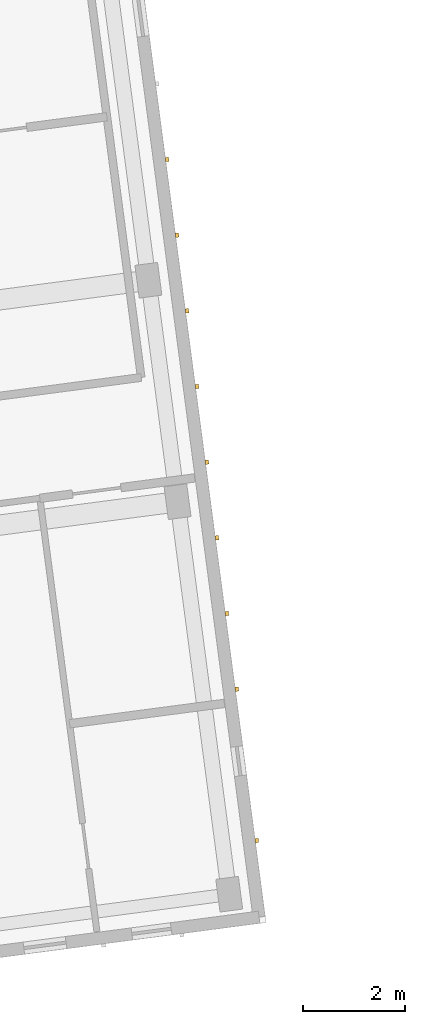
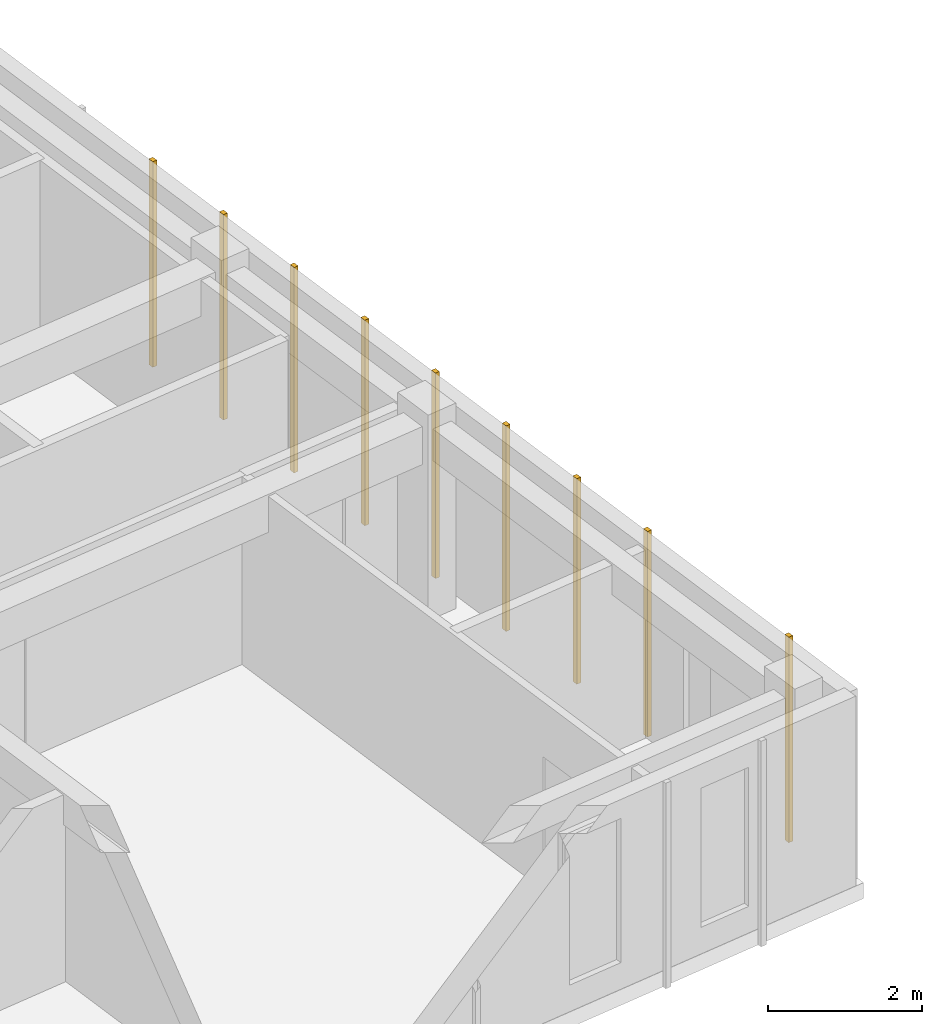
# One storey, part 26 of 34: 9 coverings.
"""IFC4 building model written with IfcOpenShell, lengths in metres."""

from ifc_helpers import new_model, si_unit, direction, frame, origin, origin_2d, place, context, subcontext, project, spatial, rectangle, extrude, material, layer, layer_set, type_object, element, save


model = new_model("IFC4")

# Units and contexts
model_context = context("Model", 3, precision=1e-05, world=origin(), true_north=direction((0.0, 1.0)))
body_context = subcontext(model_context, "Body", "Model", "MODEL_VIEW")
ifc_project = project(units=[si_unit("LENGTHUNIT", "METRE"), si_unit("AREAUNIT", "SQUARE_METRE"), si_unit("VOLUMEUNIT", "CUBIC_METRE"), si_unit("PLANEANGLEUNIT", "RADIAN"), si_unit("MASSUNIT", "GRAM", prefix="KILO")], contexts=[model_context])

# Site, building, storey
site_placement = place(None, origin())
site = spatial("IfcSite", under=ifc_project, at=site_placement, CompositionType="ELEMENT")
building_placement = place(site_placement, origin())
building = spatial("IfcBuilding", under=site, at=building_placement, Name="Kestramere Prow Commons", CompositionType="ELEMENT")
storey_placement = place(building_placement, frame((0.0, 0.0, 34.39990234375)))
storey = spatial("IfcBuildingStorey", under=building, at=storey_placement, Name="L10", CompositionType="ELEMENT", Elevation=34.39990234375)

# Coverings
ifc_material = material(Name="Weathered Zinc-Titanium Standing-Seam Cladding")
ifc_layer = layer(ifc_material, 0.074951171875)
ifc_layer_set = layer_set([ifc_layer], Name="Weathered Zinc-Titanium Standing-Seam Cladding")
covering_type = type_object("IfcCoveringType", Name="COV-CLAD-SEAM", PredefinedType="CLADDING", material=ifc_layer_set)
for number, where, z_axis, x_axis, name in (
    (1, (62.325927734375, 93.36669921875, -0.25), (0.0, 0.0, 1.0), (0.13052619222, -0.991444861374, 0.0), "EW-A-L10-EAV Standing-Seam Rib 4"),
    (2, (62.522216796875, 91.8759765625, -0.25), (0.0, 0.0, 1.0), (0.13052619222, -0.991444861374, 0.0), "EW-A-L10-EAV Standing-Seam Rib 5"),
    (3, (62.718505859375, 90.38525390625, -0.25), (0.0, 0.0, 1.0), (0.13052619222, -0.991444861374, 0.0), "EW-A-L10-EAV Standing-Seam Rib 6"),
    (4, (62.914794921875, 88.894775390625, -0.25), (0.0, 0.0, 1.0), (0.13052619222, -0.991444861374, 0.0), "EW-A-L10-EAV Standing-Seam Rib 7"),
    (5, (63.111083984375, 87.404052734375, -0.25), (0.0, 0.0, 1.0), (0.13052619222, -0.991444861374, 0.0), "EW-A-L10-EAV Standing-Seam Rib 8"),
    (6, (63.30712890625, 85.913330078125, -0.25), (0.0, 0.0, 1.0), (0.13052619222, -0.991444861374, 0.0), "EW-A-L10-EAV Standing-Seam Rib 9"),
    (7, (63.50341796875, 84.422607421875, -0.25), (0.0, 0.0, 1.0), (0.13052619222, -0.991444861374, 0.0), "EW-A-L10-EAV Standing-Seam Rib 10"),
    (8, (63.69970703125, 82.931884765625, -0.25), (0.0, 0.0, 1.0), (0.13052619222, -0.991444861374, 0.0), "EW-A-L10-EAV Standing-Seam Rib 11"),
    (9, (64.09228515625, 79.950439453125, -0.25), (0.0, 0.0, 1.0), (0.13052619222, -0.991444861374, 0.0), "EW-A-L10-EAV Standing-Seam Rib 13"),
):
    element("IfcCovering", number, at=place(storey_placement, frame(where, z_axis=z_axis, x_axis=x_axis)), inside=storey, type_object=covering_type, Name=name, PredefinedType="CLADDING", context=body_context, shape_type="SweptSolid", body=[
        extrude(rectangle(XDim=0.0849609375, YDim=0.06494140625, at=origin_2d()), origin(), (0.0, 0.0, 1.0), 3.25),
    ])

save(model, "model.ifc")
